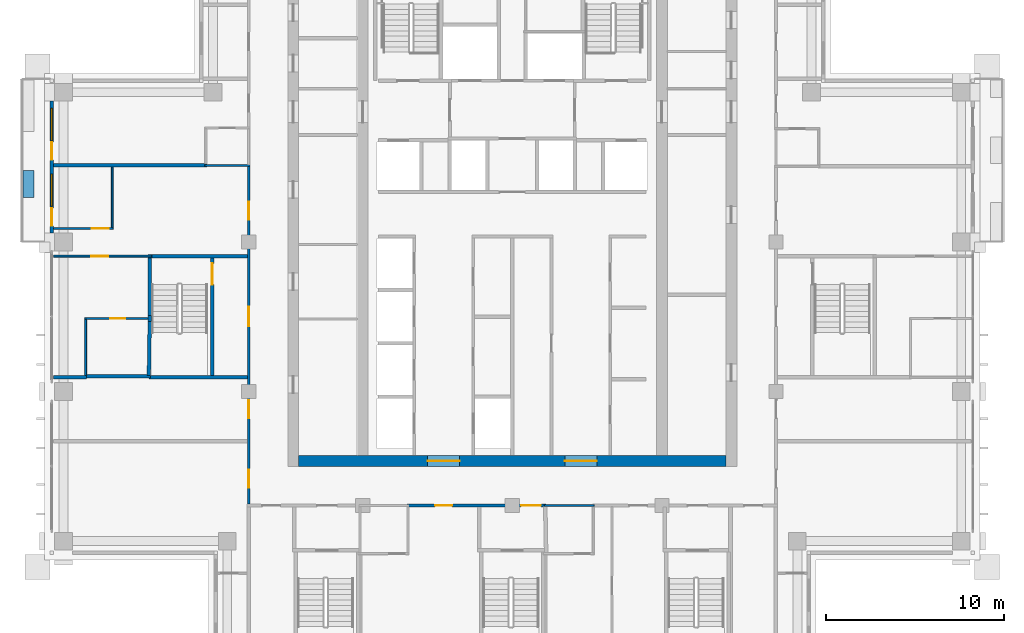
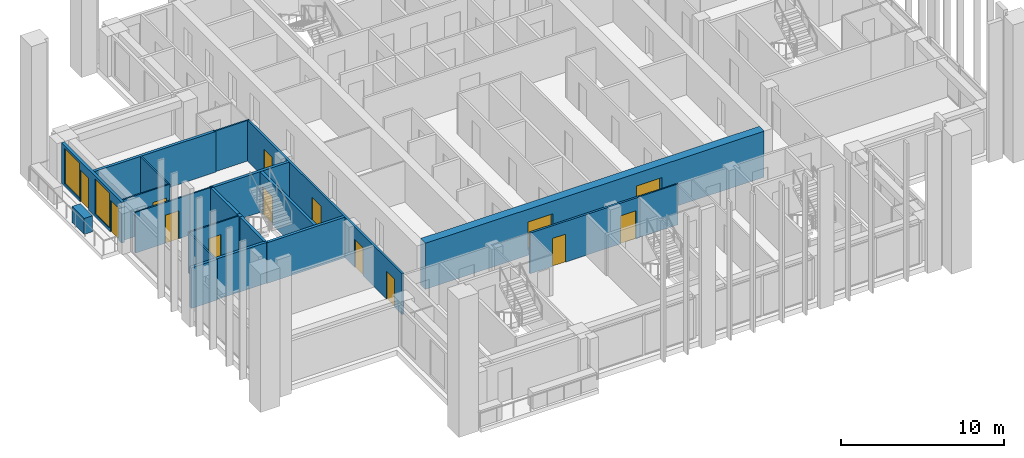
# One storey, part 8 of 17: 21 walls, 14 doors, 2 windows, 16 openings.
"""IFC4 building model written with IfcOpenShell, lengths in metres."""

from ifc_helpers import new_model, si_unit, direction, frame, frame_2d, origin, place, context, subcontext, project, spatial, rectangle, extrude, material, layer, layer_set, type_object, element, fill, save


model = new_model("IFC4")

# Units and contexts
model_context = context("Model", 3, precision=1e-05, world=origin(), true_north=direction((0.0, 1.0)))
body_context = subcontext(model_context, "Body", "Model", "MODEL_VIEW")
ifc_project = project(units=[si_unit("LENGTHUNIT", "METRE"), si_unit("AREAUNIT", "SQUARE_METRE"), si_unit("VOLUMEUNIT", "CUBIC_METRE"), si_unit("PLANEANGLEUNIT", "RADIAN"), si_unit("MASSUNIT", "GRAM", prefix="KILO")], contexts=[model_context])

# Site, building, storey
site_placement = place(None, origin())
site = spatial("IfcSite", under=ifc_project, at=site_placement, CompositionType="ELEMENT")
building_placement = place(site_placement, origin())
building = spatial("IfcBuilding", under=site, at=building_placement, Name="Vermilion Ogive Tower", CompositionType="ELEMENT")
storey_placement = place(building_placement, frame((0.0, 0.0, 175.550048828125)))
storey = spatial("IfcBuildingStorey", under=building, at=storey_placement, Name="L45", CompositionType="ELEMENT", Elevation=175.550048828125)

# Wall, openings, doors
ifc_material_1 = material(Name="Concrete B60", Category="concrete")
ifc_layer_1 = layer(ifc_material_1, 0.60009765625)
ifc_layer_set_1 = layer_set([ifc_layer_1], Name="Core wall 600 B60")
wall_type_1 = type_object("IfcWallType", Name="Core wall 600 B60", PredefinedType="SHEAR", material=ifc_layer_set_1)
wall_1_placement = place(storey_placement, frame((-12.0, -8.10009765625, -0.400146484375), z_axis=(0.0, 0.0, 1.0), x_axis=(1.0, 0.0, 0.0)))
wall_1 = element("IfcWall", 1, at=wall_1_placement, inside=storey, type_object=wall_type_1, Name="L45-CORE-S", PredefinedType="SHEAR", context=body_context, shape_type="SweptSolid", body=[
    extrude(rectangle(XDim=24.0, YDim=0.60009765625, at=frame_2d((12.0, 0.0))), origin(), (0.0, 0.0, 1.0), 3.4501953125),
])
opening_1_placement = place(wall_1_placement, frame((7.25, 0.0, 0.39990234375)))
opening_1 = element("IfcOpeningElement", 2, at=opening_1_placement, cuts=wall_1, Name="Opening DAH035", PredefinedType="OPENING", context=body_context, shape_type="SweptSolid", body=[
    extrude(rectangle(XDim=1.800048828125, YDim=2.10009765625, at=frame_2d((0.89990234375, 1.050048828125))), frame((0.0, 0.31005859375, 0.0), z_axis=(0.0, -1.0, 0.0), x_axis=(1.0, 0.0, 0.0)), (0.0, 0.0, 1.0), 0.6201171875),
])
opening_2_placement = place(wall_1_placement, frame((14.949951171875, 0.0, 0.39990234375)))
opening_2 = element("IfcOpeningElement", 3, at=opening_2_placement, cuts=wall_1, Name="Opening DAH036", PredefinedType="OPENING", context=body_context, shape_type="SweptSolid", body=[
    extrude(rectangle(XDim=1.800048828125, YDim=2.10009765625, at=frame_2d((0.89990234375, 1.050048828125))), frame((0.0, 0.31005859375, 0.0), z_axis=(0.0, -1.0, 0.0), x_axis=(1.0, 0.0, 0.0)), (0.0, 0.0, 1.0), 0.6201171875),
])
ifc_material_2 = material(Name="Timber door leaf", Category="wood")
door_type_1 = type_object("IfcDoorType", Name="Core entry door 1800 x 2100 FD60S", OperationType="DOUBLE_DOOR_SINGLE_SWING", PredefinedType="DOOR", material=ifc_material_2)
door_1_placement = place(opening_1_placement, origin())
door_1 = element("IfcDoor", 4, at=door_1_placement, inside=storey, type_object=door_type_1, Name="L45-CK-XD1", OperationType="SINGLE_SWING_LEFT", OverallHeight=2.10009765625, OverallWidth=1.800048828125, PredefinedType="DOOR", context=body_context, shape_type="SweptSolid", body=[
    extrude(rectangle(XDim=1.800048828125, YDim=2.10009765625, at=frame_2d((0.89990234375, 1.050048828125))), frame((0.0, 0.02490234375, 0.0), z_axis=(0.0, -1.0, 0.0), x_axis=(1.0, 0.0, 0.0)), (0.0, 0.0, 1.0), 0.050048828125),
])
fill(opening_1, door_1)
door_2_placement = place(opening_2_placement, origin())
door_2 = element("IfcDoor", 5, at=door_2_placement, inside=storey, type_object=door_type_1, Name="L45-CK-XD2", OperationType="SINGLE_SWING_LEFT", OverallHeight=2.10009765625, OverallWidth=1.800048828125, PredefinedType="DOOR", context=body_context, shape_type="SweptSolid", body=[
    extrude(rectangle(XDim=1.800048828125, YDim=2.10009765625, at=frame_2d((0.89990234375, 1.050048828125))), frame((0.0, 0.02490234375, 0.0), z_axis=(0.0, -1.0, 0.0), x_axis=(1.0, 0.0, 0.0)), (0.0, 0.0, 1.0), 0.050048828125),
])
fill(opening_2, door_2)

# Wall
ifc_material_3 = material(Name="Gypsum board partition on steel studs", Category="steel")
ifc_layer_2 = layer(ifc_material_3, 0.10009765625)
ifc_layer_set_2 = layer_set([ifc_layer_2], Name="Partition 100 bath")
wall_type_2 = type_object("IfcWallType", Name="Partition 100 bath", PredefinedType="PARTITIONING", material=ifc_layer_set_2)
wall_2_placement = place(storey_placement, frame((1.800048828125, -10.60009765625, 0.0), z_axis=(0.0, 0.0, 1.0), x_axis=(1.0, 0.0, 0.0)))
element("IfcWall", 6, at=wall_2_placement, inside=storey, type_object=wall_type_2, Name="L45-W-W016", PredefinedType="PARTITIONING", context=body_context, shape_type="SweptSolid", body=[
    extrude(rectangle(XDim=2.800048828125, YDim=0.10009765625, at=frame_2d((1.39990234375, 0.0))), origin(), (0.0, 0.0, 1.0), 3.050048828125),
])

# Wall, opening, door
wall_3_placement = place(storey_placement, frame((-24.0, -0.10009765625, 0.0), z_axis=(0.0, 0.0, 1.0), x_axis=(1.0, 0.0, 0.0)))
wall_3 = element("IfcWall", 7, at=wall_3_placement, inside=storey, type_object=wall_type_2, Name="L45-W-W025", PredefinedType="PARTITIONING", context=body_context, shape_type="SweptSolid", body=[
    extrude(rectangle(XDim=3.550048828125, YDim=0.10009765625, at=frame_2d((1.77490234375, 0.0))), origin(), (0.0, 0.0, 1.0), 3.050048828125),
])
opening_3_placement = place(wall_3_placement, frame((1.425048828125, 0.0, 0.0)))
opening_3 = element("IfcOpeningElement", 8, at=opening_3_placement, cuts=wall_3, Name="Opening D4G1007", PredefinedType="OPENING", context=body_context, shape_type="SweptSolid", body=[
    extrude(rectangle(XDim=0.85009765625, YDim=2.10009765625, at=frame_2d((0.425048828125, 1.050048828125))), frame((0.0, 0.06005859375, 0.0), z_axis=(0.0, -1.0, 0.0), x_axis=(1.0, 0.0, 0.0)), (0.0, 0.0, 1.0), 0.1201171875),
])
ifc_material_4 = material(Name="Timber door leaf", Category="wood")
door_type_2 = type_object("IfcDoorType", Name="Bath door 850 x 2100 FD30", OperationType="SINGLE_SWING_LEFT", PredefinedType="DOOR", material=ifc_material_4)
door_3_placement = place(opening_3_placement, origin())
door_3 = element("IfcDoor", 9, at=door_3_placement, inside=storey, type_object=door_type_2, Name="L45-D-D007", OperationType="SINGLE_SWING_RIGHT", OverallHeight=2.10009765625, OverallWidth=0.85009765625, PredefinedType="DOOR", context=body_context, shape_type="SweptSolid", body=[
    extrude(rectangle(XDim=0.85009765625, YDim=2.10009765625, at=frame_2d((0.425048828125, 1.050048828125))), frame((0.0, 0.02490234375, 0.0), z_axis=(0.0, -1.0, 0.0), x_axis=(1.0, 0.0, 0.0)), (0.0, 0.0, 1.0), 0.050048828125),
])
fill(opening_3, door_3)

# Walls
wall_4_placement = place(storey_placement, frame((-17.25, 8.489990234375, 0.0), z_axis=(0.0, 0.0, 1.0), x_axis=(1.0, 0.0, 0.0)))
element("IfcWall", 10, at=wall_4_placement, inside=storey, type_object=wall_type_2, Name="L45-W-W035", PredefinedType="PARTITIONING", context=body_context, shape_type="SweptSolid", body=[
    extrude(rectangle(XDim=2.52490234375, YDim=0.10009765625, at=frame_2d((1.262451171875, 0.0))), origin(), (0.0, 0.0, 1.0), 3.050048828125),
])
wall_5_placement = place(storey_placement, frame((-23.949951171875, -3.300048828125, 0.0), z_axis=(0.0, 0.0, 1.0), x_axis=(0.0, 1.0, 0.0)))
element("IfcWall", 11, at=wall_5_placement, inside=storey, type_object=wall_type_2, Name="L45-W-W042", PredefinedType="PARTITIONING", context=body_context, shape_type="SweptSolid", body=[
    extrude(rectangle(XDim=3.150146484375, YDim=0.10009765625, at=frame_2d((1.5751953125, 0.0))), origin(), (0.0, 0.0, 1.0), 3.050048828125),
])

# Wall, opening, door
ifc_material_5 = material(Name="Gypsum board partition on steel studs", Category="steel")
ifc_layer_3 = layer(ifc_material_5, 0.10009765625)
ifc_layer_set_3 = layer_set([ifc_layer_3], Name="Partition 100 inner")
wall_type_3 = type_object("IfcWallType", Name="Partition 100 inner", PredefinedType="PARTITIONING", material=ifc_layer_set_3)
wall_6_placement = place(storey_placement, frame((-25.75, 3.39990234375, 0.0), z_axis=(0.0, 0.0, 1.0), x_axis=(1.0, 0.0, 0.0)))
wall_6 = element("IfcWall", 12, at=wall_6_placement, inside=storey, type_object=wall_type_3, Name="L45-W-W027", PredefinedType="PARTITIONING", context=body_context, shape_type="SweptSolid", body=[
    extrude(rectangle(XDim=5.5, YDim=0.10009765625, at=frame_2d((2.75, 0.0))), origin(), (0.0, 0.0, 1.0), 3.050048828125),
])
opening_4_placement = place(wall_6_placement, frame((2.125, 0.0, 0.0)))
opening_4 = element("IfcOpeningElement", 13, at=opening_4_placement, cuts=wall_6, Name="Opening D4G1006", PredefinedType="OPENING", context=body_context, shape_type="SweptSolid", body=[
    extrude(rectangle(XDim=0.949951171875, YDim=2.10009765625, at=frame_2d((0.47509765625, 1.050048828125))), frame((0.0, 0.06005859375, 0.0), z_axis=(0.0, -1.0, 0.0), x_axis=(1.0, 0.0, 0.0)), (0.0, 0.0, 1.0), 0.1201171875),
])
ifc_material_6 = material(Name="Timber door leaf", Category="wood")
door_type_3 = type_object("IfcDoorType", Name="Inner door 950 x 2100 FD30", OperationType="SINGLE_SWING_LEFT", PredefinedType="DOOR", material=ifc_material_6)
door_4_placement = place(opening_4_placement, origin())
door_4 = element("IfcDoor", 14, at=door_4_placement, inside=storey, type_object=door_type_3, Name="L45-D-D006", OperationType="SINGLE_SWING_LEFT", OverallHeight=2.10009765625, OverallWidth=0.949951171875, PredefinedType="DOOR", context=body_context, shape_type="SweptSolid", body=[
    extrude(rectangle(XDim=0.949951171875, YDim=2.10009765625, at=frame_2d((0.47509765625, 1.050048828125))), frame((0.0, 0.02490234375, 0.0), z_axis=(0.0, -1.0, 0.0), x_axis=(1.0, 0.0, 0.0)), (0.0, 0.0, 1.0), 0.050048828125),
])
fill(opening_4, door_4)

wall_7_placement = place(storey_placement, frame((-25.75, 4.949951171875, 0.0), z_axis=(0.0, 0.0, 1.0), x_axis=(1.0, 0.0, 0.0)))
wall_7 = element("IfcWall", 15, at=wall_7_placement, inside=storey, type_object=wall_type_3, Name="L45-W-W031", PredefinedType="PARTITIONING", context=body_context, shape_type="SweptSolid", body=[
    extrude(rectangle(XDim=3.35009765625, YDim=0.10009765625, at=frame_2d((1.675048828125, 0.0))), origin(), (0.0, 0.0, 1.0), 3.050048828125),
])
opening_5_placement = place(wall_7_placement, frame((2.14990234375, 0.0, 0.0)))
opening_5 = element("IfcOpeningElement", 16, at=opening_5_placement, cuts=wall_7, Name="Opening D4G1004", PredefinedType="OPENING", context=body_context, shape_type="SweptSolid", body=[
    extrude(rectangle(XDim=0.949951171875, YDim=2.10009765625, at=frame_2d((0.47509765625, 1.050048828125))), frame((0.0, 0.06005859375, 0.0), z_axis=(0.0, -1.0, 0.0), x_axis=(1.0, 0.0, 0.0)), (0.0, 0.0, 1.0), 0.1201171875),
])
door_5_placement = place(opening_5_placement, origin())
door_5 = element("IfcDoor", 17, at=door_5_placement, inside=storey, type_object=door_type_3, Name="L45-D-D004", OperationType="SINGLE_SWING_RIGHT", OverallHeight=2.10009765625, OverallWidth=0.949951171875, PredefinedType="DOOR", context=body_context, shape_type="SweptSolid", body=[
    extrude(rectangle(XDim=0.949951171875, YDim=2.10009765625, at=frame_2d((0.47509765625, 1.050048828125))), frame((0.0, 0.02490234375, 0.0), z_axis=(0.0, -1.0, 0.0), x_axis=(1.0, 0.0, 0.0)), (0.0, 0.0, 1.0), 0.050048828125),
])
fill(opening_5, door_5)

# Wall
wall_8_placement = place(storey_placement, frame((-22.449951171875, 5.0, 0.0), z_axis=(0.0, 0.0, 1.0), x_axis=(0.0, 1.0, 0.0)))
element("IfcWall", 18, at=wall_8_placement, inside=storey, type_object=wall_type_3, Name="L45-W-W043", PredefinedType="PARTITIONING", context=body_context, shape_type="SweptSolid", body=[
    extrude(rectangle(XDim=3.389892578125, YDim=0.10009765625, at=frame_2d((1.69482421875, 0.0))), origin(), (0.0, 0.0, 1.0), 3.050048828125),
])

# Wall, openings, doors
ifc_material_7 = material(Name="Gypsum board partition on steel studs", Category="steel")
ifc_layer_4 = layer(ifc_material_7, 0.14990234375)
ifc_layer_set_4 = layer_set([ifc_layer_4], Name="Partition 150 corridor")
wall_type_4 = type_object("IfcWallType", Name="Partition 150 corridor", PredefinedType="PARTITIONING", material=ifc_layer_set_4)
wall_9_placement = place(storey_placement, frame((-5.89990234375, -10.60009765625, 0.0), z_axis=(0.0, 0.0, 1.0), x_axis=(1.0, 0.0, 0.0)))
wall_9 = element("IfcWall", 19, at=wall_9_placement, inside=storey, type_object=wall_type_4, Name="L45-W-W015", PredefinedType="PARTITIONING", context=body_context, shape_type="SweptSolid", body=[
    extrude(rectangle(XDim=7.7998046875, YDim=0.14990234375, at=frame_2d((3.89990234375, 0.0))), origin(), (0.0, 0.0, 1.0), 3.050048828125),
])
opening_6_placement = place(wall_9_placement, frame((1.574951171875, 0.0, 0.0)))
opening_6 = element("IfcOpeningElement", 20, at=opening_6_placement, cuts=wall_9, Name="Opening D4G1012", PredefinedType="OPENING", context=body_context, shape_type="SweptSolid", body=[
    extrude(rectangle(XDim=0.949951171875, YDim=2.10009765625, at=frame_2d((0.47509765625, 1.050048828125))), frame((0.0, 0.0849609375, 0.0), z_axis=(0.0, -1.0, 0.0), x_axis=(1.0, 0.0, 0.0)), (0.0, 0.0, 1.0), 0.169921875),
])
opening_7_placement = place(wall_9_placement, frame((6.39990234375, 0.0, 0.0)))
opening_7 = element("IfcOpeningElement", 21, at=opening_7_placement, cuts=wall_9, Name="Opening D4G1029", PredefinedType="OPENING", context=body_context, shape_type="SweptSolid", body=[
    extrude(rectangle(XDim=1.10009765625, YDim=2.10009765625, at=frame_2d((0.550048828125, 1.050048828125))), frame((0.0, 0.0849609375, 0.0), z_axis=(0.0, -1.0, 0.0), x_axis=(1.0, 0.0, 0.0)), (0.0, 0.0, 1.0), 0.169921875),
])
ifc_material_8 = material(Name="Timber door leaf", Category="wood")
door_type_4 = type_object("IfcDoorType", Name="Stair door 1100 x 2100 FD60S", OperationType="SINGLE_SWING_LEFT", PredefinedType="DOOR", material=ifc_material_8)
door_6_placement = place(opening_7_placement, origin())
door_6 = element("IfcDoor", 22, at=door_6_placement, inside=storey, type_object=door_type_4, Name="L45-D-D029", OperationType="SINGLE_SWING_LEFT", OverallHeight=2.10009765625, OverallWidth=1.10009765625, PredefinedType="DOOR", context=body_context, shape_type="SweptSolid", body=[
    extrude(rectangle(XDim=1.10009765625, YDim=2.10009765625, at=frame_2d((0.550048828125, 1.050048828125))), frame((0.0, 0.02490234375, 0.0), z_axis=(0.0, -1.0, 0.0), x_axis=(1.0, 0.0, 0.0)), (0.0, 0.0, 1.0), 0.050048828125),
])
fill(opening_7, door_6)
ifc_material_9 = material(Name="Timber door leaf", Category="wood")
door_type_5 = type_object("IfcDoorType", Name="Unit door 950 x 2100 FD30S", OperationType="SINGLE_SWING_LEFT", PredefinedType="DOOR", material=ifc_material_9)
door_7_placement = place(opening_6_placement, origin())
door_7 = element("IfcDoor", 23, at=door_7_placement, inside=storey, type_object=door_type_5, Name="L45-D-D012", OperationType="SINGLE_SWING_LEFT", OverallHeight=2.10009765625, OverallWidth=0.949951171875, PredefinedType="DOOR", context=body_context, shape_type="SweptSolid", body=[
    extrude(rectangle(XDim=0.949951171875, YDim=2.10009765625, at=frame_2d((0.47509765625, 1.050048828125))), frame((0.0, 0.02490234375, 0.0), z_axis=(0.0, -1.0, 0.0), x_axis=(1.0, 0.0, 0.0)), (0.0, 0.0, 1.0), 0.050048828125),
])
fill(opening_6, door_7)

wall_10_placement = place(storey_placement, frame((-14.800048828125, -10.52490234375, 0.0), z_axis=(0.0, 0.0, 1.0), x_axis=(0.0, 1.0, 0.0)))
wall_10 = element("IfcWall", 24, at=wall_10_placement, inside=storey, type_object=wall_type_4, Name="L45-W-W050", PredefinedType="PARTITIONING", context=body_context, shape_type="SweptSolid", body=[
    extrude(rectangle(XDim=18.96484375, YDim=0.14990234375, at=frame_2d((9.482421875, 0.0))), origin(), (0.0, 0.0, 1.0), 3.050048828125),
])
opening_8_placement = place(wall_10_placement, frame((0.9248046875, 0.0, 0.0)))
opening_8 = element("IfcOpeningElement", 25, at=opening_8_placement, cuts=wall_10, Name="Opening D4G1001", PredefinedType="OPENING", context=body_context, shape_type="SweptSolid", body=[
    extrude(rectangle(XDim=1.0, YDim=2.10009765625, at=frame_2d((0.5, 1.050048828125))), frame((0.0, 0.0849609375, 0.0), z_axis=(0.0, -1.0, 0.0), x_axis=(1.0, 0.0, 0.0)), (0.0, 0.0, 1.0), 0.169921875),
])
opening_9_placement = place(wall_10_placement, frame((15.969970703125, 0.0, 0.0)))
opening_9 = element("IfcOpeningElement", 26, at=opening_9_placement, cuts=wall_10, Name="Opening D4G1005", PredefinedType="OPENING", context=body_context, shape_type="SweptSolid", body=[
    extrude(rectangle(XDim=1.0, YDim=2.10009765625, at=frame_2d((0.5, 1.050048828125))), frame((0.0, 0.0849609375, 0.0), z_axis=(0.0, -1.0, 0.0), x_axis=(1.0, 0.0, 0.0)), (0.0, 0.0, 1.0), 0.169921875),
])
opening_10_placement = place(wall_10_placement, frame((9.974853515625, 0.0, 0.0)))
opening_10 = element("IfcOpeningElement", 27, at=opening_10_placement, cuts=wall_10, Name="Opening D4G1035", PredefinedType="OPENING", context=body_context, shape_type="SweptSolid", body=[
    extrude(rectangle(XDim=1.10009765625, YDim=2.10009765625, at=frame_2d((0.550048828125, 1.050048828125))), frame((0.0, 0.0849609375, 0.0), z_axis=(0.0, -1.0, 0.0), x_axis=(1.0, 0.0, 0.0)), (0.0, 0.0, 1.0), 0.169921875),
])
opening_11_placement = place(wall_10_placement, frame((4.824951171875, 0.0, 0.0)))
opening_11 = element("IfcOpeningElement", 28, at=opening_11_placement, cuts=wall_10, Name="Opening D4G1039", PredefinedType="OPENING", context=body_context, shape_type="SweptSolid", body=[
    extrude(rectangle(XDim=1.0, YDim=2.10009765625, at=frame_2d((0.5, 1.050048828125))), frame((0.0, 0.0849609375, 0.0), z_axis=(0.0, -1.0, 0.0), x_axis=(1.0, 0.0, 0.0)), (0.0, 0.0, 1.0), 0.169921875),
])
door_8_placement = place(opening_10_placement, origin())
door_8 = element("IfcDoor", 29, at=door_8_placement, inside=storey, type_object=door_type_4, Name="L45-D-D035", OperationType="SINGLE_SWING_RIGHT", OverallHeight=2.10009765625, OverallWidth=1.10009765625, PredefinedType="DOOR", context=body_context, shape_type="SweptSolid", body=[
    extrude(rectangle(XDim=1.10009765625, YDim=2.10009765625, at=frame_2d((0.550048828125, 1.050048828125))), frame((0.0, 0.02490234375, 0.0), z_axis=(0.0, -1.0, 0.0), x_axis=(1.0, 0.0, 0.0)), (0.0, 0.0, 1.0), 0.050048828125),
])
fill(opening_10, door_8)
ifc_material_10 = material(Name="Timber door leaf", Category="wood")
door_type_6 = type_object("IfcDoorType", Name="Unit door 1000 x 2100 FD30S", OperationType="SINGLE_SWING_LEFT", PredefinedType="DOOR", material=ifc_material_10)
door_9_placement = place(opening_8_placement, origin())
door_9 = element("IfcDoor", 30, at=door_9_placement, inside=storey, type_object=door_type_6, Name="L45-D-D001", OperationType="SINGLE_SWING_LEFT", OverallHeight=2.10009765625, OverallWidth=1.0, PredefinedType="DOOR", context=body_context, shape_type="SweptSolid", body=[
    extrude(rectangle(XDim=1.0, YDim=2.10009765625, at=frame_2d((0.5, 1.050048828125))), frame((0.0, 0.02490234375, 0.0), z_axis=(0.0, -1.0, 0.0), x_axis=(1.0, 0.0, 0.0)), (0.0, 0.0, 1.0), 0.050048828125),
])
fill(opening_8, door_9)
door_10_placement = place(opening_9_placement, origin())
door_10 = element("IfcDoor", 31, at=door_10_placement, inside=storey, type_object=door_type_6, Name="L45-D-D005", OperationType="SINGLE_SWING_RIGHT", OverallHeight=2.10009765625, OverallWidth=1.0, PredefinedType="DOOR", context=body_context, shape_type="SweptSolid", body=[
    extrude(rectangle(XDim=1.0, YDim=2.10009765625, at=frame_2d((0.5, 1.050048828125))), frame((0.0, 0.02490234375, 0.0), z_axis=(0.0, -1.0, 0.0), x_axis=(1.0, 0.0, 0.0)), (0.0, 0.0, 1.0), 0.050048828125),
])
fill(opening_9, door_10)
door_11_placement = place(opening_11_placement, origin())
door_11 = element("IfcDoor", 32, at=door_11_placement, inside=storey, type_object=door_type_6, Name="L45-D-D039", OperationType="SINGLE_SWING_RIGHT", OverallHeight=2.10009765625, OverallWidth=1.0, PredefinedType="DOOR", context=body_context, shape_type="SweptSolid", body=[
    extrude(rectangle(XDim=1.0, YDim=2.10009765625, at=frame_2d((0.5, 1.050048828125))), frame((0.0, 0.02490234375, 0.0), z_axis=(0.0, -1.0, 0.0), x_axis=(1.0, 0.0, 0.0)), (0.0, 0.0, 1.0), 0.050048828125),
])
fill(opening_11, door_11)

# Walls
ifc_material_11 = material(Name="Gypsum board partition on steel studs", Category="steel")
ifc_layer_5 = layer(ifc_material_11, 0.199951171875)
ifc_layer_set_5 = layer_set([ifc_layer_5], Name="Partition 200 party")
wall_type_5 = type_object("IfcWallType", Name="Partition 200 party", PredefinedType="PARTITIONING", material=ifc_layer_set_5)
wall_11_placement = place(storey_placement, frame((-25.75, -3.39990234375, 0.0), z_axis=(0.0, 0.0, 1.0), x_axis=(1.0, 0.0, 0.0)))
element("IfcWall", 33, at=wall_11_placement, inside=storey, type_object=wall_type_5, Name="L45-W-W020", PredefinedType="PARTITIONING", context=body_context, shape_type="SweptSolid", body=[
    extrude(rectangle(XDim=1.85009765625, YDim=0.199951171875, at=frame_2d((0.925048828125, 0.0))), origin(), (0.0, 0.0, 1.0), 3.050048828125),
])
wall_12_placement = place(storey_placement, frame((-25.75, 8.489990234375, 0.0), z_axis=(0.0, 0.0, 1.0), x_axis=(1.0, 0.0, 0.0)))
element("IfcWall", 34, at=wall_12_placement, inside=storey, type_object=wall_type_5, Name="L45-W-W034", PredefinedType="PARTITIONING", context=body_context, shape_type="SweptSolid", body=[
    extrude(rectangle(XDim=8.60009765625, YDim=0.199951171875, at=frame_2d((4.300048828125, 0.0))), origin(), (0.0, 0.0, 1.0), 3.050048828125),
])
ifc_material_12 = material(Name="Concrete B60", Category="concrete")
ifc_layer_6 = layer(ifc_material_12, 0.199951171875)
ifc_layer_set_6 = layer_set([ifc_layer_6], Name="Stair shaft wall 200 Concrete B60")
wall_type_6 = type_object("IfcWallType", Name="Stair shaft wall 200 Concrete B60", PredefinedType="SOLIDWALL", material=ifc_layer_set_6)
wall_13_placement = place(storey_placement, frame((-24.0, -3.349853515625, 0.0), z_axis=(0.0, 0.0, 1.0), x_axis=(1.0, 0.0, 0.0)))
element("IfcWall", 35, at=wall_13_placement, inside=storey, type_object=wall_type_6, Name="L45-W-W021", PredefinedType="SOLIDWALL", context=body_context, shape_type="SweptSolid", body=[
    extrude(rectangle(XDim=3.699951171875, YDim=0.199951171875, at=frame_2d((1.85009765625, 0.0))), origin(), (0.0, 0.0, 1.0), 3.050048828125),
])
wall_14_placement = place(storey_placement, frame((-20.39990234375, -3.39990234375, 0.0), z_axis=(0.0, 0.0, 1.0), x_axis=(1.0, 0.0, 0.0)))
element("IfcWall", 36, at=wall_14_placement, inside=storey, type_object=wall_type_6, Name="L45-W-W022", PredefinedType="SOLIDWALL", context=body_context, shape_type="SweptSolid", body=[
    extrude(rectangle(XDim=5.52490234375, YDim=0.199951171875, at=frame_2d((2.762451171875, 0.0))), origin(), (0.0, 0.0, 1.0), 3.050048828125),
])
wall_15_placement = place(storey_placement, frame((-20.449951171875, 3.39990234375, 0.0), z_axis=(0.0, 0.0, 1.0), x_axis=(1.0, 0.0, 0.0)))
element("IfcWall", 37, at=wall_15_placement, inside=storey, type_object=wall_type_6, Name="L45-W-W028", PredefinedType="SOLIDWALL", context=body_context, shape_type="SweptSolid", body=[
    extrude(rectangle(XDim=5.574951171875, YDim=0.199951171875, at=frame_2d((2.78759765625, 0.0))), origin(), (0.0, 0.0, 1.0), 3.050048828125),
])
wall_16_placement = place(storey_placement, frame((-20.400146484375, -3.300048828125, 0.0), z_axis=(0.0, 0.0, 1.0), x_axis=(0.016112644959, 0.99987018291, 0.0)))
element("IfcWall", 38, at=wall_16_placement, inside=storey, type_object=wall_type_6, Name="L45-W-W044", PredefinedType="SOLIDWALL", context=body_context, shape_type="SweptSolid", body=[
    extrude(rectangle(XDim=3.030517578125, YDim=0.199951171875, at=frame_2d((1.51513671875, 0.0))), origin(), (0.0, 0.0, 1.0), 3.050048828125),
])
wall_17_placement = place(storey_placement, frame((-20.35009765625, 0.070068359375, 0.0), z_axis=(0.0, 0.0, 1.0), x_axis=(0.0, 1.0, 0.0)))
element("IfcWall", 39, at=wall_17_placement, inside=storey, type_object=wall_type_6, Name="L45-W-W045", PredefinedType="SOLIDWALL", context=body_context, shape_type="SweptSolid", body=[
    extrude(rectangle(XDim=3.22998046875, YDim=0.199951171875, at=frame_2d((1.614990234375, 0.0))), origin(), (0.0, 0.0, 1.0), 3.050048828125),
])

# Wall, opening, door
wall_18_placement = place(storey_placement, frame((-16.85009765625, -3.300048828125, 0.0), z_axis=(0.0, 0.0, 1.0), x_axis=(0.0, 1.0, 0.0)))
wall_18 = element("IfcWall", 40, at=wall_18_placement, inside=storey, type_object=wall_type_6, Name="L45-W-W047", PredefinedType="SOLIDWALL", context=body_context, shape_type="SweptSolid", body=[
    extrude(rectangle(XDim=6.60009765625, YDim=0.199951171875, at=frame_2d((3.300048828125, 0.0))), origin(), (0.0, 0.0, 1.0), 3.050048828125),
])
opening_12_placement = place(wall_18_placement, frame((5.10009765625, 0.0, 0.0)))
opening_12 = element("IfcOpeningElement", 41, at=opening_12_placement, cuts=wall_18, Name="Opening D4G1036", PredefinedType="OPENING", context=body_context, shape_type="SweptSolid", body=[
    extrude(rectangle(XDim=1.199951171875, YDim=2.10009765625, at=frame_2d((0.60009765625, 1.050048828125))), frame((0.0, 0.10986328125, 0.0), z_axis=(0.0, -1.0, 0.0), x_axis=(1.0, 0.0, 0.0)), (0.0, 0.0, 1.0), 0.219970703125),
])
ifc_material_13 = material(Name="Timber door leaf", Category="wood")
door_type_7 = type_object("IfcDoorType", Name="Stair door 1200 x 2100 FD60S", OperationType="SINGLE_SWING_LEFT", PredefinedType="DOOR", material=ifc_material_13)
door_12_placement = place(opening_12_placement, origin())
door_12 = element("IfcDoor", 42, at=door_12_placement, inside=storey, type_object=door_type_7, Name="L45-D-D036", OperationType="SINGLE_SWING_RIGHT", OverallHeight=2.10009765625, OverallWidth=1.199951171875, PredefinedType="DOOR", context=body_context, shape_type="SweptSolid", body=[
    extrude(rectangle(XDim=1.199951171875, YDim=2.10009765625, at=frame_2d((0.60009765625, 1.050048828125))), frame((0.0, 0.02490234375, 0.0), z_axis=(0.0, -1.0, 0.0), x_axis=(1.0, 0.0, 0.0)), (0.0, 0.0, 1.0), 0.050048828125),
])
fill(opening_12, door_12)

# Walls
wall_19_placement = place(storey_placement, frame((-20.35009765625, -0.27001953125, 0.0), z_axis=(0.0, 0.0, 1.0), x_axis=(0.0, 1.0, 0.0)))
element("IfcWall", 43, at=wall_19_placement, inside=storey, type_object=wall_type_6, Name="L45-SW-ST9-W1", PredefinedType="SOLIDWALL", context=body_context, shape_type="SweptSolid", body=[
    extrude(rectangle(XDim=0.340087890625, YDim=0.199951171875, at=frame_2d((0.169921875, 0.0))), origin(), (0.0, 0.0, 1.0), 3.050048828125),
])
ifc_material_14 = material(Name="Concrete B40", Category="concrete")
ifc_layer_7 = layer(ifc_material_14, 0.60009765625)
ifc_layer_set_7 = layer_set([ifc_layer_7], Name="Structural planter")
wall_type_7 = type_object("IfcWallType", Name="Structural planter", PredefinedType="USERDEFINED", material=ifc_layer_set_7)
wall_20_placement = place(storey_placement, frame((-27.154052734375, 8.199951171875, -0.0400390625), z_axis=(0.0, 0.0, 1.0), x_axis=(0.0, -1.0, 0.0)))
element("IfcWall", 44, at=wall_20_placement, inside=storey, type_object=wall_type_7, Name="Planter W01A2", ObjectType="PLANTER", PredefinedType="USERDEFINED", context=body_context, shape_type="SweptSolid", body=[
    extrude(rectangle(XDim=1.5, YDim=0.60009765625, at=frame_2d((0.75, 0.0))), origin(), (0.0, 0.0, 1.0), 1.199951171875),
])

# Wall, openings, doors, windows
ifc_material_15 = material(Name="Aluminium window wall framing", Category="aluminium")
ifc_layer_8 = layer(ifc_material_15, 0.199951171875)
ifc_layer_set_8 = layer_set([ifc_layer_8], Name="Window wall")
wall_type_8 = type_object("IfcWallType", Name="Window wall", PredefinedType="STANDARD", material=ifc_layer_set_8)
wall_21_placement = place(storey_placement, frame((-25.85009765625, 12.10009765625, 0.0), z_axis=(0.0, 0.0, 1.0), x_axis=(0.0, -1.0, 0.0)))
wall_21 = element("IfcWall", 45, at=wall_21_placement, inside=storey, type_object=wall_type_8, Name="Window wall W1", PredefinedType="STANDARD", context=body_context, shape_type="SweptSolid", body=[
    extrude(rectangle(XDim=7.400146484375, YDim=0.199951171875, at=frame_2d((3.7001953125, 0.0))), origin(), (0.0, 0.0, 1.0), 3.050048828125),
])
opening_13_placement = place(wall_21_placement, frame((4.10009765625, 0.0, 0.199951171875)))
opening_13 = element("IfcOpeningElement", 46, at=opening_13_placement, cuts=wall_21, Name="Opening W1-W01", PredefinedType="OPENING", context=body_context, shape_type="SweptSolid", body=[
    extrude(rectangle(XDim=1.800048828125, YDim=2.64990234375, at=frame_2d((0.89990234375, 1.324951171875))), frame((0.0, 0.10986328125, 0.0), z_axis=(0.0, -1.0, 0.0), x_axis=(1.0, 0.0, 0.0)), (0.0, 0.0, 1.0), 0.219970703125),
])
opening_14_placement = place(wall_21_placement, frame((6.0, 0.0, 0.0)))
opening_14 = element("IfcOpeningElement", 47, at=opening_14_placement, cuts=wall_21, Name="Opening D1-W01", PredefinedType="OPENING", context=body_context, shape_type="SweptSolid", body=[
    extrude(rectangle(XDim=1.0, YDim=2.39990234375, at=frame_2d((0.5, 1.199951171875))), frame((0.0, 0.10986328125, 0.0), z_axis=(0.0, -1.0, 0.0), x_axis=(1.0, 0.0, 0.0)), (0.0, 0.0, 1.0), 0.219970703125),
])
opening_15_placement = place(wall_21_placement, frame((0.39990234375, 0.0, 0.199951171875)))
opening_15 = element("IfcOpeningElement", 48, at=opening_15_placement, cuts=wall_21, Name="Opening W1-W02", PredefinedType="OPENING", context=body_context, shape_type="SweptSolid", body=[
    extrude(rectangle(XDim=1.800048828125, YDim=2.64990234375, at=frame_2d((0.89990234375, 1.324951171875))), frame((0.0, 0.10986328125, 0.0), z_axis=(0.0, -1.0, 0.0), x_axis=(1.0, 0.0, 0.0)), (0.0, 0.0, 1.0), 0.219970703125),
])
opening_16_placement = place(wall_21_placement, frame((2.300048828125, 0.0, 0.0)))
opening_16 = element("IfcOpeningElement", 49, at=opening_16_placement, cuts=wall_21, Name="Opening D1-W02", PredefinedType="OPENING", context=body_context, shape_type="SweptSolid", body=[
    extrude(rectangle(XDim=1.0, YDim=2.39990234375, at=frame_2d((0.5, 1.199951171875))), frame((0.0, 0.10986328125, 0.0), z_axis=(0.0, -1.0, 0.0), x_axis=(1.0, 0.0, 0.0)), (0.0, 0.0, 1.0), 0.219970703125),
])
ifc_material_16 = material(Name="Aluminium framed glazed door", Category="aluminium")
door_type_8 = type_object("IfcDoorType", Name="Balcony door D1", OperationType="SINGLE_SWING_LEFT", PredefinedType="DOOR", material=ifc_material_16)
door_13_placement = place(opening_14_placement, origin())
door_13 = element("IfcDoor", 50, at=door_13_placement, inside=storey, type_object=door_type_8, Name="Balcony door W01", OperationType="SINGLE_SWING_LEFT", OverallHeight=2.39990234375, OverallWidth=1.0, PredefinedType="DOOR", context=body_context, shape_type="SweptSolid", body=[
    extrude(rectangle(XDim=1.0, YDim=2.39990234375, at=frame_2d((0.5, 1.199951171875))), frame((0.0, 0.02490234375, 0.0), z_axis=(0.0, -1.0, 0.0), x_axis=(1.0, 0.0, 0.0)), (0.0, 0.0, 1.0), 0.050048828125),
])
fill(opening_14, door_13)
door_14_placement = place(opening_16_placement, origin())
door_14 = element("IfcDoor", 51, at=door_14_placement, inside=storey, type_object=door_type_8, Name="Balcony door W02", OperationType="SINGLE_SWING_LEFT", OverallHeight=2.39990234375, OverallWidth=1.0, PredefinedType="DOOR", context=body_context, shape_type="SweptSolid", body=[
    extrude(rectangle(XDim=1.0, YDim=2.39990234375, at=frame_2d((0.5, 1.199951171875))), frame((0.0, 0.02490234375, 0.0), z_axis=(0.0, -1.0, 0.0), x_axis=(1.0, 0.0, 0.0)), (0.0, 0.0, 1.0), 0.050048828125),
])
fill(opening_16, door_14)
ifc_material_17 = material(Name="Aluminium framed double glazing", Category="aluminium")
window_type = type_object("IfcWindowType", Name="Guest window W1", PartitioningType="SINGLE_PANEL", PredefinedType="WINDOW", material=ifc_material_17)
window_1_placement = place(opening_13_placement, origin())
window_1 = element("IfcWindow", 52, at=window_1_placement, inside=storey, type_object=window_type, Name="Window W01", OverallHeight=2.64990234375, OverallWidth=1.800048828125, PartitioningType="SINGLE_PANEL", PredefinedType="WINDOW", context=body_context, shape_type="SweptSolid", body=[
    extrude(rectangle(XDim=1.800048828125, YDim=2.64990234375, at=frame_2d((0.89990234375, 1.324951171875))), frame((0.0, 0.030029296875, 0.0), z_axis=(0.0, -1.0, 0.0), x_axis=(1.0, 0.0, 0.0)), (0.0, 0.0, 1.0), 0.06005859375),
])
fill(opening_13, window_1)
window_2_placement = place(opening_15_placement, origin())
window_2 = element("IfcWindow", 53, at=window_2_placement, inside=storey, type_object=window_type, Name="Window W02", OverallHeight=2.64990234375, OverallWidth=1.800048828125, PartitioningType="SINGLE_PANEL", PredefinedType="WINDOW", context=body_context, shape_type="SweptSolid", body=[
    extrude(rectangle(XDim=1.800048828125, YDim=2.64990234375, at=frame_2d((0.89990234375, 1.324951171875))), frame((0.0, 0.030029296875, 0.0), z_axis=(0.0, -1.0, 0.0), x_axis=(1.0, 0.0, 0.0)), (0.0, 0.0, 1.0), 0.06005859375),
])
fill(opening_15, window_2)

save(model, "model.ifc")
